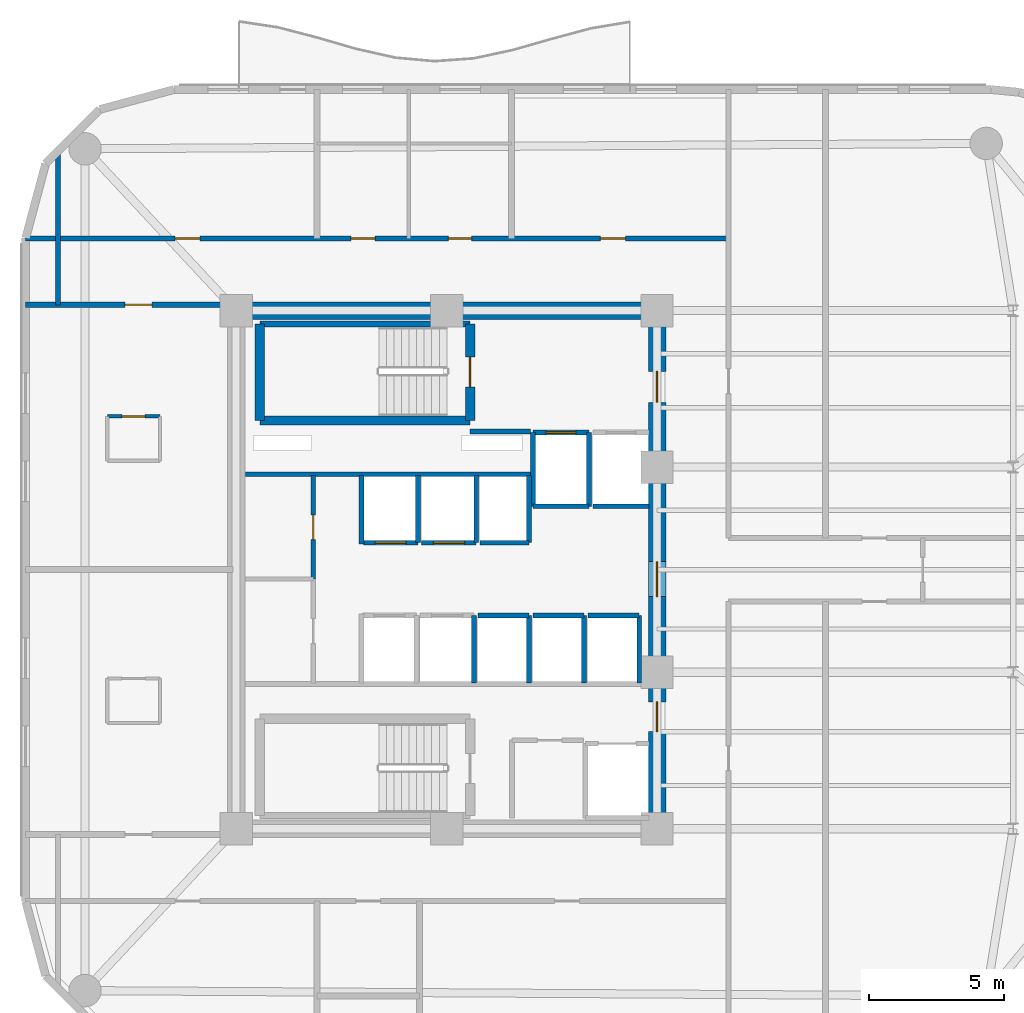
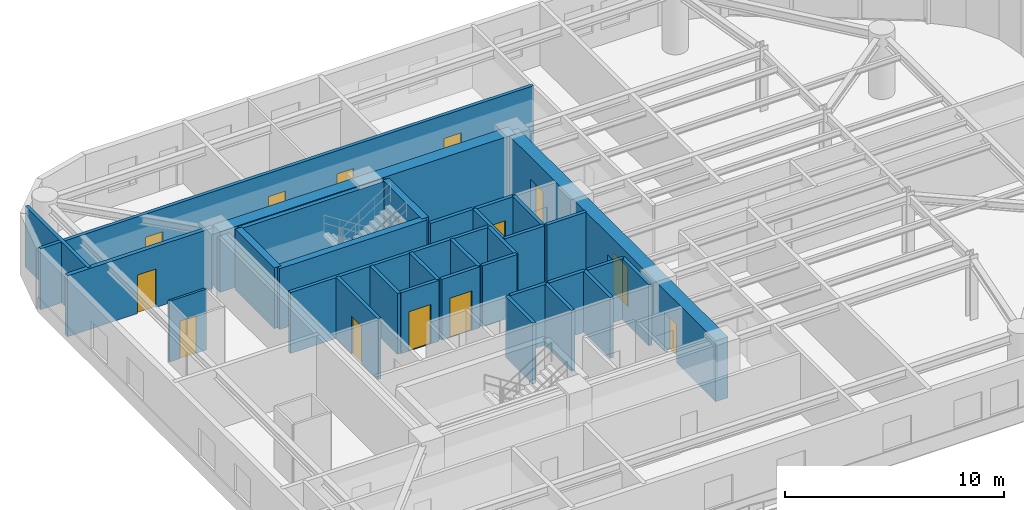
# One storey, part 11 of 15: 32 walls, 14 doors, 14 openings.
"""IFC4 building model written with IfcOpenShell, lengths in metres."""

from ifc_helpers import new_model, si_unit, direction, frame, frame_2d, origin, place, context, subcontext, project, spatial, rectangle, extrude, material, layer, layer_set, type_object, element, fill, save


model = new_model("IFC4")

# Units and contexts
model_context = context("Model", 3, precision=1e-05, world=origin(), true_north=direction((0.0, 1.0)))
body_context = subcontext(model_context, "Body", "Model", "MODEL_VIEW")
ifc_project = project(units=[si_unit("LENGTHUNIT", "METRE"), si_unit("AREAUNIT", "SQUARE_METRE"), si_unit("VOLUMEUNIT", "CUBIC_METRE"), si_unit("PLANEANGLEUNIT", "RADIAN"), si_unit("MASSUNIT", "GRAM", prefix="KILO")], contexts=[model_context])

# Site, building, storey
site_placement = place(None, origin())
site = spatial("IfcSite", under=ifc_project, at=site_placement, CompositionType="ELEMENT")
building_placement = place(site_placement, origin())
building = spatial("IfcBuilding", under=site, at=building_placement, Name="An Khanh Terracotta Commons", CompositionType="ELEMENT")
storey_placement = place(building_placement, frame((0.0, 0.0, 179.800048828125)))
storey = spatial("IfcBuildingStorey", under=building, at=storey_placement, Name="L47", CompositionType="ELEMENT", Elevation=179.800048828125)

# Wall
ifc_material_1 = material(Name="Concrete C60/75", Category="concrete")
ifc_layer_1 = layer(ifc_material_1, 0.64990234375, Name="Concrete C60/75")
ifc_layer_set_1 = layer_set([ifc_layer_1], Name="Concrete C60/75")
wall_type_1 = type_object("IfcWallType", Name="WALL-CORE-650", PredefinedType="SHEAR", material=ifc_layer_set_1)
wall_1_placement = place(storey_placement, frame((21.60009765625, 33.60009765625, 0.0), z_axis=(0.0, 0.0, 1.0), x_axis=(1.0, 0.0, 0.0)))
element("IfcWall", 1, at=wall_1_placement, inside=storey, type_object=wall_type_1, Name="L47 Core Wall CWALL-L47-N", PredefinedType="SHEAR", context=body_context, shape_type="SweptSolid", body=[
    extrude(rectangle(XDim=15.599853515625, YDim=0.64990234375, at=frame_2d((7.7998046875, 0.0))), origin(), (0.0, 0.0, 1.0), 3.39990234375),
])

# Wall, openings, doors
wall_2_placement = place(storey_placement, frame((37.199951171875, 14.39990234375, 0.0), z_axis=(0.0, 0.0, 1.0), x_axis=(0.0, 1.0, 0.0)))
wall_2 = element("IfcWall", 2, at=wall_2_placement, inside=storey, type_object=wall_type_1, Name="L47 Core Wall CWALL-L47-E", PredefinedType="SHEAR", context=body_context, shape_type="SweptSolid", body=[
    extrude(rectangle(XDim=19.2001953125, YDim=0.64990234375, at=frame_2d((9.60009765625, 0.0))), origin(), (0.0, 0.0, 1.0), 3.39990234375),
])
opening_1_placement = place(wall_2_placement, frame((15.800048828125, 0.0, 0.0)))
opening_1 = element("IfcOpeningElement", 3, at=opening_1_placement, cuts=wall_2, Name="Opening D-FFL", PredefinedType="OPENING", context=body_context, shape_type="SweptSolid", body=[
    extrude(rectangle(XDim=1.14990234375, YDim=2.14990234375, at=frame_2d((0.574951171875, 1.074951171875))), frame((0.0, 0.3349609375, 0.0), z_axis=(0.0, -1.0, 0.0), x_axis=(1.0, 0.0, 0.0)), (0.0, 0.0, 1.0), 0.669921875),
])
opening_2_placement = place(wall_2_placement, frame((3.60009765625, 0.0, 0.0)))
opening_2 = element("IfcOpeningElement", 4, at=opening_2_placement, cuts=wall_2, Name="Opening D-ST", PredefinedType="OPENING", context=body_context, shape_type="SweptSolid", body=[
    extrude(rectangle(XDim=1.10009765625, YDim=2.14990234375, at=frame_2d((0.550048828125, 1.074951171875))), frame((0.0, 0.3349609375, 0.0), z_axis=(0.0, -1.0, 0.0), x_axis=(1.0, 0.0, 0.0)), (0.0, 0.0, 1.0), 0.669921875),
])
opening_3_placement = place(wall_2_placement, frame((8.60009765625, 0.0, 0.0)))
opening_3 = element("IfcOpeningElement", 5, at=opening_3_placement, cuts=wall_2, Name="Opening D-COR", PredefinedType="OPENING", context=body_context, shape_type="SweptSolid", body=[
    extrude(rectangle(XDim=1.300048828125, YDim=2.199951171875, at=frame_2d((0.64990234375, 1.10009765625))), frame((0.0, 0.3349609375, 0.0), z_axis=(0.0, -1.0, 0.0), x_axis=(1.0, 0.0, 0.0)), (0.0, 0.0, 1.0), 0.669921875),
])
ifc_material_2 = material(Name="Fire-Rated Glazed Steel Double Door", Category="steel")
door_type_1 = type_object("IfcDoorType", Name="DOOR-CORR-1300", OperationType="NOTDEFINED", PredefinedType="DOOR", material=ifc_material_2)
door_1_placement = place(opening_3_placement, origin())
door_1 = element("IfcDoor", 6, at=door_1_placement, inside=storey, type_object=door_type_1, Name="L47 Passenger Lift Lobby Double Door", OperationType="DOUBLE_DOOR_SINGLE_SWING", OverallHeight=2.199951171875, OverallWidth=1.300048828125, PredefinedType="DOOR", context=body_context, shape_type="SweptSolid", body=[
    extrude(rectangle(XDim=1.300048828125, YDim=2.199951171875, at=frame_2d((0.64990234375, 1.10009765625))), frame((0.0, 0.02490234375, 0.0), z_axis=(0.0, -1.0, 0.0), x_axis=(1.0, 0.0, 0.0)), (0.0, 0.0, 1.0), 0.050048828125),
])
fill(opening_3, door_1)
ifc_material_3 = material(Name="Fire-Rated Steel Leaf and Vision Panel", Category="steel")
door_type_2 = type_object("IfcDoorType", Name="DOOR-FFL-1150", OperationType="NOTDEFINED", PredefinedType="DOOR", material=ifc_material_3)
door_2_placement = place(opening_1_placement, origin())
door_2 = element("IfcDoor", 7, at=door_2_placement, inside=storey, type_object=door_type_2, Name="L47 Firefighting Lift Lobby Fire Door", OperationType="SINGLE_SWING_RIGHT", OverallHeight=2.14990234375, OverallWidth=1.14990234375, PredefinedType="DOOR", context=body_context, shape_type="SweptSolid", body=[
    extrude(rectangle(XDim=1.14990234375, YDim=2.14990234375, at=frame_2d((0.574951171875, 1.074951171875))), frame((0.0, 0.02490234375, 0.0), z_axis=(0.0, -1.0, 0.0), x_axis=(1.0, 0.0, 0.0)), (0.0, 0.0, 1.0), 0.050048828125),
])
fill(opening_1, door_2)
ifc_material_4 = material(Name="Fire-Rated Steel Leaf and Frame", Category="steel")
door_type_3 = type_object("IfcDoorType", Name="DOOR-STAIR-1100", OperationType="NOTDEFINED", PredefinedType="DOOR", material=ifc_material_4)
door_3_placement = place(opening_2_placement, origin())
door_3 = element("IfcDoor", 8, at=door_3_placement, inside=storey, type_object=door_type_3, Name="L47 South Stair Lobby Fire Door", OperationType="SINGLE_SWING_LEFT", OverallHeight=2.14990234375, OverallWidth=1.10009765625, PredefinedType="DOOR", context=body_context, shape_type="SweptSolid", body=[
    extrude(rectangle(XDim=1.10009765625, YDim=2.14990234375, at=frame_2d((0.550048828125, 1.074951171875))), frame((0.0, 0.02490234375, 0.0), z_axis=(0.0, -1.0, 0.0), x_axis=(1.0, 0.0, 0.0)), (0.0, 0.0, 1.0), 0.050048828125),
])
fill(opening_2, door_3)

# Walls
ifc_material_5 = material(Name="Fire-Rated Gypsum Board on Steel Stud", Category="steel")
ifc_layer_2 = layer(ifc_material_5, 0.179931640625, Name="Fire-Rated Gypsum Board on Steel Stud")
ifc_layer_set_2 = layer_set([ifc_layer_2], Name="Fire-Rated Gypsum Board on Steel Stud")
wall_type_2 = type_object("IfcWallType", Name="WALL-CORR-180", PredefinedType="PARTITIONING", material=ifc_layer_set_2)
wall_3_placement = place(storey_placement, frame((30.27001953125, 29.1201171875, 0.0), z_axis=(0.0, 0.0, 1.0), x_axis=(1.0, 0.0, 0.0)))
element("IfcWall", 9, at=wall_3_placement, inside=storey, type_object=wall_type_2, Name="L47 Core Wall FFLW-L47-S", PredefinedType="PARTITIONING", context=body_context, shape_type="SweptSolid", body=[
    extrude(rectangle(XDim=2.239990234375, YDim=0.179931640625, at=frame_2d((1.1201171875, 0.0))), origin(), (0.0, 0.0, 1.0), 3.39990234375),
])
wall_4_placement = place(storey_placement, frame((21.949951171875, 27.5400390625, 0.0), z_axis=(0.0, 0.0, 1.0), x_axis=(1.0, 0.0, 0.0)))
element("IfcWall", 10, at=wall_4_placement, inside=storey, type_object=wall_type_2, Name="L47 Core Wall RSRW-L47-S", PredefinedType="PARTITIONING", context=body_context, shape_type="SweptSolid", body=[
    extrude(rectangle(XDim=10.56005859375, YDim=0.179931640625, at=frame_2d((5.280029296875, 0.0))), origin(), (0.0, 0.0, 1.0), 3.39990234375),
])

# Wall, opening, door
wall_5_placement = place(storey_placement, frame((32.60009765625, 29.080078125, 0.0), z_axis=(0.0, 0.0, 1.0), x_axis=(1.0, 0.0, 0.0)))
wall_5 = element("IfcWall", 11, at=wall_5_placement, inside=storey, type_object=wall_type_2, Name="L47 Core Wall LSH-L47-FFL-01-N", PredefinedType="PARTITIONING", context=body_context, shape_type="SweptSolid", body=[
    extrude(rectangle(XDim=2.079833984375, YDim=0.179931640625, at=frame_2d((1.0400390625, 0.0))), origin(), (0.0, 0.0, 1.0), 3.39990234375),
])
opening_4_placement = place(wall_5_placement, frame((0.489990234375, 0.0, 0.0)))
opening_4 = element("IfcOpeningElement", 12, at=opening_4_placement, cuts=wall_5, Name="Opening LD-FFL-01-L47", PredefinedType="OPENING", context=body_context, shape_type="SweptSolid", body=[
    extrude(rectangle(XDim=1.10009765625, YDim=2.199951171875, at=frame_2d((0.550048828125, 1.10009765625))), frame((0.0, 0.099853515625, 0.0), z_axis=(0.0, -1.0, 0.0), x_axis=(1.0, 0.0, 0.0)), (0.0, 0.0, 1.0), 0.199951171875),
])
ifc_material_6 = material(Name="Brushed Stainless Steel Fire Landing Door", Category="steel")
door_type_4 = type_object("IfcDoorType", Name="DOOR-LD-FFL-1100", OperationType="NOTDEFINED", PredefinedType="DOOR", material=ifc_material_6)
door_4_placement = place(opening_4_placement, origin())
door_4 = element("IfcDoor", 13, at=door_4_placement, inside=storey, type_object=door_type_4, Name="L47 Lift FFL-01 Sliding Landing Door", OperationType="DOUBLE_DOOR_SLIDING", OverallHeight=2.199951171875, OverallWidth=1.10009765625, PredefinedType="DOOR", context=body_context, shape_type="SweptSolid", body=[
    extrude(rectangle(XDim=1.10009765625, YDim=2.199951171875, at=frame_2d((0.550048828125, 1.10009765625))), frame((0.0, 0.02490234375, 0.0), z_axis=(0.0, -1.0, 0.0), x_axis=(1.0, 0.0, 0.0)), (0.0, 0.0, 1.0), 0.050048828125),
])
fill(opening_4, door_4)

# Walls
wall_6_placement = place(storey_placement, frame((34.679931640625, 26.35009765625, 0.0), z_axis=(0.0, 0.0, 1.0), x_axis=(-1.0, 0.0, 0.0)))
element("IfcWall", 14, at=wall_6_placement, inside=storey, type_object=wall_type_2, Name="L47 Core Wall LSH-L47-FFL-01-S", PredefinedType="PARTITIONING", context=body_context, shape_type="SweptSolid", body=[
    extrude(rectangle(XDim=2.079833984375, YDim=0.179931640625, at=frame_2d((1.0400390625, 0.0))), origin(), (0.0, 0.0, 1.0), 3.39990234375),
])
for number, where, z_axis, x_axis, name in (
    (15, (34.679931640625, 26.35009765625, 0.0), (0.0, 0.0, 1.0), (0.0, 1.0, 0.0), "L47 Core Wall LSH-L47-FFL-01-E"),
    (16, (32.60009765625, 29.080078125, 0.0), (0.0, 0.0, 1.0), (0.0, -1.0, 0.0), "L47 Core Wall LSH-L47-FFL-01-W"),
):
    element("IfcWall", number, at=place(storey_placement, frame(where, z_axis=z_axis, x_axis=x_axis)), inside=storey, type_object=wall_type_2, Name=name, PredefinedType="PARTITIONING", context=body_context, shape_type="SweptSolid", body=[
        extrude(rectangle(XDim=2.72998046875, YDim=0.179931640625, at=frame_2d((1.364990234375, 0.0))), origin(), (0.0, 0.0, 1.0), 3.39990234375),
    ])
wall_7_placement = place(storey_placement, frame((36.89990234375, 26.35009765625, 0.0), z_axis=(0.0, 0.0, 1.0), x_axis=(-1.0, 0.0, 0.0)))
element("IfcWall", 17, at=wall_7_placement, inside=storey, type_object=wall_type_2, Name="L47 Core Wall LSH-L47-FFL-02-S", PredefinedType="PARTITIONING", context=body_context, shape_type="SweptSolid", body=[
    extrude(rectangle(XDim=2.079833984375, YDim=0.179931640625, at=frame_2d((1.0400390625, 0.0))), origin(), (0.0, 0.0, 1.0), 3.39990234375),
])

# Wall, opening, door
wall_8_placement = place(storey_placement, frame((28.340087890625, 25.0, 0.0), z_axis=(0.0, 0.0, 1.0), x_axis=(-1.0, 0.0, 0.0)))
wall_8 = element("IfcWall", 18, at=wall_8_placement, inside=storey, type_object=wall_type_2, Name="L47 Core Wall LSH-L47-PL-M1-S", PredefinedType="PARTITIONING", context=body_context, shape_type="SweptSolid", body=[
    extrude(rectangle(XDim=2.02001953125, YDim=0.179931640625, at=frame_2d((1.010009765625, 0.0))), origin(), (0.0, 0.0, 1.0), 3.39990234375),
])
opening_5_placement = place(wall_8_placement, frame((0.43505859375, 0.0, 0.0)))
opening_5 = element("IfcOpeningElement", 19, at=opening_5_placement, cuts=wall_8, Name="Opening LD-PL-M1-L47", PredefinedType="OPENING", context=body_context, shape_type="SweptSolid", body=[
    extrude(rectangle(XDim=1.14990234375, YDim=2.199951171875, at=frame_2d((0.574951171875, 1.10009765625))), frame((0.0, 0.099853515625, 0.0), z_axis=(0.0, -1.0, 0.0), x_axis=(1.0, 0.0, 0.0)), (0.0, 0.0, 1.0), 0.199951171875),
])
ifc_material_7 = material(Name="Brushed Stainless Steel Passenger Landing Door", Category="steel")
door_type_5 = type_object("IfcDoorType", Name="DOOR-LD-PAX-1150", OperationType="NOTDEFINED", PredefinedType="DOOR", material=ifc_material_7)
door_5_placement = place(opening_5_placement, origin())
door_5 = element("IfcDoor", 20, at=door_5_placement, inside=storey, type_object=door_type_5, Name="L47 Lift PL-M1 Sliding Landing Door", OperationType="DOUBLE_DOOR_SLIDING", OverallHeight=2.199951171875, OverallWidth=1.14990234375, PredefinedType="DOOR", context=body_context, shape_type="SweptSolid", body=[
    extrude(rectangle(XDim=1.14990234375, YDim=2.199951171875, at=frame_2d((0.574951171875, 1.10009765625))), frame((0.0, 0.02490234375, 0.0), z_axis=(0.0, -1.0, 0.0), x_axis=(1.0, 0.0, 0.0)), (0.0, 0.0, 1.0), 0.050048828125),
])
fill(opening_5, door_5)

# Wall
wall_9_placement = place(storey_placement, frame((28.340087890625, 25.0, 0.0), z_axis=(0.0, 0.0, 1.0), x_axis=(0.0, 1.0, 0.0)))
element("IfcWall", 21, at=wall_9_placement, inside=storey, type_object=wall_type_2, Name="L47 Core Wall LSH-L47-PL-M1-E", PredefinedType="PARTITIONING", context=body_context, shape_type="SweptSolid", body=[
    extrude(rectangle(XDim=2.5, YDim=0.179931640625, at=frame_2d((1.25, 0.0))), origin(), (0.0, 0.0, 1.0), 3.39990234375),
])

# Wall, opening, door
wall_10_placement = place(storey_placement, frame((30.5, 25.0, 0.0), z_axis=(0.0, 0.0, 1.0), x_axis=(-1.0, 0.0, 0.0)))
wall_10 = element("IfcWall", 22, at=wall_10_placement, inside=storey, type_object=wall_type_2, Name="L47 Core Wall LSH-L47-PL-M2-S", PredefinedType="PARTITIONING", context=body_context, shape_type="SweptSolid", body=[
    extrude(rectangle(XDim=2.02001953125, YDim=0.179931640625, at=frame_2d((1.010009765625, 0.0))), origin(), (0.0, 0.0, 1.0), 3.39990234375),
])
opening_6_placement = place(wall_10_placement, frame((0.43505859375, 0.0, 0.0)))
opening_6 = element("IfcOpeningElement", 23, at=opening_6_placement, cuts=wall_10, Name="Opening LD-PL-M2-L47", PredefinedType="OPENING", context=body_context, shape_type="SweptSolid", body=[
    extrude(rectangle(XDim=1.14990234375, YDim=2.199951171875, at=frame_2d((0.574951171875, 1.10009765625))), frame((0.0, 0.099853515625, 0.0), z_axis=(0.0, -1.0, 0.0), x_axis=(1.0, 0.0, 0.0)), (0.0, 0.0, 1.0), 0.199951171875),
])
door_6_placement = place(opening_6_placement, origin())
door_6 = element("IfcDoor", 24, at=door_6_placement, inside=storey, type_object=door_type_5, Name="L47 Lift PL-M2 Sliding Landing Door", OperationType="DOUBLE_DOOR_SLIDING", OverallHeight=2.199951171875, OverallWidth=1.14990234375, PredefinedType="DOOR", context=body_context, shape_type="SweptSolid", body=[
    extrude(rectangle(XDim=1.14990234375, YDim=2.199951171875, at=frame_2d((0.574951171875, 1.10009765625))), frame((0.0, 0.02490234375, 0.0), z_axis=(0.0, -1.0, 0.0), x_axis=(1.0, 0.0, 0.0)), (0.0, 0.0, 1.0), 0.050048828125),
])
fill(opening_6, door_6)

# Walls
for number, where, z_axis, x_axis, name in (
    (25, (30.5, 25.0, 0.0), (0.0, 0.0, 1.0), (0.0, 1.0, 0.0), "L47 Core Wall LSH-L47-PL-M2-E"),
    (26, (30.419921875, 19.800048828125, 0.0), (0.0, 0.0, 1.0), (0.0, 1.0, 0.0), "L47 Core Wall LSH-L47-PL-M4-E"),
):
    element("IfcWall", number, at=place(storey_placement, frame(where, z_axis=z_axis, x_axis=x_axis)), inside=storey, type_object=wall_type_2, Name=name, PredefinedType="PARTITIONING", context=body_context, shape_type="SweptSolid", body=[
        extrude(rectangle(XDim=2.5, YDim=0.179931640625, at=frame_2d((1.25, 0.0))), origin(), (0.0, 0.0, 1.0), 3.39990234375),
    ])
wall_11_placement = place(storey_placement, frame((32.4599609375, 25.0, 0.0), z_axis=(0.0, 0.0, 1.0), x_axis=(-1.0, 0.0, 0.0)))
element("IfcWall", 27, at=wall_11_placement, inside=storey, type_object=wall_type_2, Name="L47 Core Wall LSH-L47-PL-H1-S", PredefinedType="PARTITIONING", context=body_context, shape_type="SweptSolid", body=[
    extrude(rectangle(XDim=1.820068359375, YDim=0.179931640625, at=frame_2d((0.91015625, 0.0))), origin(), (0.0, 0.0, 1.0), 3.39990234375),
])
wall_12_placement = place(storey_placement, frame((32.4599609375, 25.0, 0.0), z_axis=(0.0, 0.0, 1.0), x_axis=(0.0, 1.0, 0.0)))
element("IfcWall", 28, at=wall_12_placement, inside=storey, type_object=wall_type_2, Name="L47 Core Wall LSH-L47-PL-H1-E", PredefinedType="PARTITIONING", context=body_context, shape_type="SweptSolid", body=[
    extrude(rectangle(XDim=2.5, YDim=0.179931640625, at=frame_2d((1.25, 0.0))), origin(), (0.0, 0.0, 1.0), 3.39990234375),
])
wall_13_placement = place(storey_placement, frame((30.56005859375, 22.300048828125, 0.0), z_axis=(0.0, 0.0, 1.0), x_axis=(1.0, 0.0, 0.0)))
element("IfcWall", 29, at=wall_13_placement, inside=storey, type_object=wall_type_2, Name="L47 Core Wall LSH-L47-PL-H2-N", PredefinedType="PARTITIONING", context=body_context, shape_type="SweptSolid", body=[
    extrude(rectangle(XDim=1.89990234375, YDim=0.179931640625, at=frame_2d((0.949951171875, 0.0))), origin(), (0.0, 0.0, 1.0), 3.39990234375),
])
wall_14_placement = place(storey_placement, frame((32.4599609375, 19.800048828125, 0.0), z_axis=(0.0, 0.0, 1.0), x_axis=(0.0, 1.0, 0.0)))
element("IfcWall", 30, at=wall_14_placement, inside=storey, type_object=wall_type_2, Name="L47 Core Wall LSH-L47-PL-H2-E", PredefinedType="PARTITIONING", context=body_context, shape_type="SweptSolid", body=[
    extrude(rectangle(XDim=2.5, YDim=0.179931640625, at=frame_2d((1.25, 0.0))), origin(), (0.0, 0.0, 1.0), 3.39990234375),
])
wall_15_placement = place(storey_placement, frame((32.60009765625, 22.300048828125, 0.0), z_axis=(0.0, 0.0, 1.0), x_axis=(1.0, 0.0, 0.0)))
element("IfcWall", 31, at=wall_15_placement, inside=storey, type_object=wall_type_2, Name="L47 Core Wall LSH-L47-PL-H3-N", PredefinedType="PARTITIONING", context=body_context, shape_type="SweptSolid", body=[
    extrude(rectangle(XDim=1.89990234375, YDim=0.179931640625, at=frame_2d((0.949951171875, 0.0))), origin(), (0.0, 0.0, 1.0), 3.39990234375),
])
wall_16_placement = place(storey_placement, frame((34.5, 19.800048828125, 0.0), z_axis=(0.0, 0.0, 1.0), x_axis=(0.0, 1.0, 0.0)))
element("IfcWall", 32, at=wall_16_placement, inside=storey, type_object=wall_type_2, Name="L47 Core Wall LSH-L47-PL-H3-E", PredefinedType="PARTITIONING", context=body_context, shape_type="SweptSolid", body=[
    extrude(rectangle(XDim=2.5, YDim=0.179931640625, at=frame_2d((1.25, 0.0))), origin(), (0.0, 0.0, 1.0), 3.39990234375),
])
wall_17_placement = place(storey_placement, frame((34.639892578125, 22.300048828125, 0.0), z_axis=(0.0, 0.0, 1.0), x_axis=(1.0, 0.0, 0.0)))
element("IfcWall", 33, at=wall_17_placement, inside=storey, type_object=wall_type_2, Name="L47 Core Wall LSH-L47-PL-H4-N", PredefinedType="PARTITIONING", context=body_context, shape_type="SweptSolid", body=[
    extrude(rectangle(XDim=1.900146484375, YDim=0.179931640625, at=frame_2d((0.9501953125, 0.0))), origin(), (0.0, 0.0, 1.0), 3.39990234375),
])
wall_18_placement = place(storey_placement, frame((36.5400390625, 19.800048828125, 0.0), z_axis=(0.0, 0.0, 1.0), x_axis=(0.0, 1.0, 0.0)))
element("IfcWall", 34, at=wall_18_placement, inside=storey, type_object=wall_type_2, Name="L47 Core Wall LSH-L47-PL-H4-E", PredefinedType="PARTITIONING", context=body_context, shape_type="SweptSolid", body=[
    extrude(rectangle(XDim=2.5, YDim=0.179931640625, at=frame_2d((1.25, 0.0))), origin(), (0.0, 0.0, 1.0), 3.39990234375),
])

# Wall, opening, door
wall_19_placement = place(storey_placement, frame((24.4599609375, 23.64990234375, 0.0), z_axis=(0.0, 0.0, 1.0), x_axis=(0.0, 1.0, 0.0)))
wall_19 = element("IfcWall", 35, at=wall_19_placement, inside=storey, type_object=wall_type_2, Name="L47 Core Wall RECW-L47-E1", PredefinedType="PARTITIONING", context=body_context, shape_type="SweptSolid", body=[
    extrude(rectangle(XDim=3.85009765625, YDim=0.179931640625, at=frame_2d((1.925048828125, 0.0))), origin(), (0.0, 0.0, 1.0), 3.39990234375),
])
opening_7_placement = place(wall_19_placement, frame((1.465087890625, 0.0, 0.0)))
opening_7 = element("IfcOpeningElement", 36, at=opening_7_placement, cuts=wall_19, Name="Opening D-RM", PredefinedType="OPENING", context=body_context, shape_type="SweptSolid", body=[
    extrude(rectangle(XDim=0.919921875, YDim=2.10009765625, at=frame_2d((0.4599609375, 1.050048828125))), frame((0.0, 0.099853515625, 0.0), z_axis=(0.0, -1.0, 0.0), x_axis=(1.0, 0.0, 0.0)), (0.0, 0.0, 1.0), 0.199951171875),
])
ifc_material_8 = material(Name="Engineered Hardwood Timber Leaf", Category="wood")
door_type_6 = type_object("IfcDoorType", Name="DOOR-INT-920", OperationType="NOTDEFINED", PredefinedType="DOOR", material=ifc_material_8)
door_7_placement = place(opening_7_placement, origin())
door_7 = element("IfcDoor", 37, at=door_7_placement, inside=storey, type_object=door_type_6, Name="L47 Communal Laundry Room Door", OperationType="SINGLE_SWING_LEFT", OverallHeight=2.10009765625, OverallWidth=0.919921875, PredefinedType="DOOR", context=body_context, shape_type="SweptSolid", body=[
    extrude(rectangle(XDim=0.919921875, YDim=2.10009765625, at=frame_2d((0.4599609375, 1.050048828125))), frame((0.0, 0.02490234375, 0.0), z_axis=(0.0, -1.0, 0.0), x_axis=(1.0, 0.0, 0.0)), (0.0, 0.0, 1.0), 0.050048828125),
])
fill(opening_7, door_7)

# Wall
wall_20_placement = place(storey_placement, frame((26.25, 24.949951171875, 0.0), z_axis=(0.0, 0.0, 1.0), x_axis=(0.0, 1.0, 0.0)))
element("IfcWall", 38, at=wall_20_placement, inside=storey, type_object=wall_type_2, Name="L47 Core Wall RECW-L47-BE1", PredefinedType="PARTITIONING", context=body_context, shape_type="SweptSolid", body=[
    extrude(rectangle(XDim=2.550048828125, YDim=0.179931640625, at=frame_2d((1.27490234375, 0.0))), origin(), (0.0, 0.0, 1.0), 3.39990234375),
])

# Wall, openings, doors
wall_21_placement = place(storey_placement, frame((13.800048828125, 36.280029296875, 0.0), z_axis=(0.0, 0.0, 1.0), x_axis=(1.0, 0.0, 0.0)))
wall_21 = element("IfcWall", 39, at=wall_21_placement, inside=storey, type_object=wall_type_2, Name="L47 Interior Partition IW-L47-E008", PredefinedType="PARTITIONING", context=body_context, shape_type="SweptSolid", body=[
    extrude(rectangle(XDim=26.050048828125, YDim=0.179931640625, at=frame_2d((13.02490234375, 0.0))), origin(), (0.0, 0.0, 1.0), 3.39990234375),
])
opening_8_placement = place(wall_21_placement, frame((12.050048828125, 0.0, 0.0)))
opening_8 = element("IfcOpeningElement", 40, at=opening_8_placement, cuts=wall_21, Name="Opening D-WC", PredefinedType="OPENING", context=body_context, shape_type="SweptSolid", body=[
    extrude(rectangle(XDim=0.89990234375, YDim=2.10009765625, at=frame_2d((0.449951171875, 1.050048828125))), frame((0.0, 0.099853515625, 0.0), z_axis=(0.0, -1.0, 0.0), x_axis=(1.0, 0.0, 0.0)), (0.0, 0.0, 1.0), 0.199951171875),
])
opening_9_placement = place(wall_21_placement, frame((15.669921875, 0.0, 0.0)))
opening_9 = element("IfcOpeningElement", 41, at=opening_9_placement, cuts=wall_21, Name="Opening D-ENS", PredefinedType="OPENING", context=body_context, shape_type="SweptSolid", body=[
    extrude(rectangle(XDim=0.860107421875, YDim=2.10009765625, at=frame_2d((0.43017578125, 1.050048828125))), frame((0.0, 0.099853515625, 0.0), z_axis=(0.0, -1.0, 0.0), x_axis=(1.0, 0.0, 0.0)), (0.0, 0.0, 1.0), 0.199951171875),
])
opening_10_placement = place(wall_21_placement, frame((5.5400390625, 0.0, 0.0)))
opening_10 = element("IfcOpeningElement", 42, at=opening_10_placement, cuts=wall_21, Name="Opening D-RM", PredefinedType="OPENING", context=body_context, shape_type="SweptSolid", body=[
    extrude(rectangle(XDim=0.919921875, YDim=2.10009765625, at=frame_2d((0.4599609375, 1.050048828125))), frame((0.0, 0.099853515625, 0.0), z_axis=(0.0, -1.0, 0.0), x_axis=(1.0, 0.0, 0.0)), (0.0, 0.0, 1.0), 0.199951171875),
])
opening_11_placement = place(wall_21_placement, frame((21.304931640625, 0.0, 0.0)))
opening_11 = element("IfcOpeningElement", 43, at=opening_11_placement, cuts=wall_21, Name="Opening D-RM", PredefinedType="OPENING", context=body_context, shape_type="SweptSolid", body=[
    extrude(rectangle(XDim=0.919921875, YDim=2.10009765625, at=frame_2d((0.4599609375, 1.050048828125))), frame((0.0, 0.099853515625, 0.0), z_axis=(0.0, -1.0, 0.0), x_axis=(1.0, 0.0, 0.0)), (0.0, 0.0, 1.0), 0.199951171875),
])
ifc_material_9 = material(Name="Moisture-Resistant Hardwood Timber Leaf", Category="wood")
door_type_7 = type_object("IfcDoorType", Name="DOOR-BATH-860", OperationType="NOTDEFINED", PredefinedType="DOOR", material=ifc_material_9)
door_8_placement = place(opening_9_placement, origin())
door_8 = element("IfcDoor", 44, at=door_8_placement, inside=storey, type_object=door_type_7, Name="L47 SHW Resident Shared Shower and Washroom Door", OperationType="SINGLE_SWING_RIGHT", OverallHeight=2.10009765625, OverallWidth=0.860107421875, PredefinedType="DOOR", context=body_context, shape_type="SweptSolid", body=[
    extrude(rectangle(XDim=0.860107421875, YDim=2.10009765625, at=frame_2d((0.43017578125, 1.050048828125))), frame((0.0, 0.02490234375, 0.0), z_axis=(0.0, -1.0, 0.0), x_axis=(1.0, 0.0, 0.0)), (0.0, 0.0, 1.0), 0.050048828125),
])
fill(opening_9, door_8)
door_9_placement = place(opening_10_placement, origin())
door_9 = element("IfcDoor", 45, at=door_9_placement, inside=storey, type_object=door_type_6, Name="L47 NW1 Group Tutorial Meeting Room Door", OperationType="SINGLE_SWING_LEFT", OverallHeight=2.10009765625, OverallWidth=0.919921875, PredefinedType="DOOR", context=body_context, shape_type="SweptSolid", body=[
    extrude(rectangle(XDim=0.919921875, YDim=2.10009765625, at=frame_2d((0.4599609375, 1.050048828125))), frame((0.0, 0.02490234375, 0.0), z_axis=(0.0, -1.0, 0.0), x_axis=(1.0, 0.0, 0.0)), (0.0, 0.0, 1.0), 0.050048828125),
])
fill(opening_10, door_9)
door_10_placement = place(opening_11_placement, origin())
door_10 = element("IfcDoor", 46, at=door_10_placement, inside=storey, type_object=door_type_6, Name="L47 NWE Student Reading Library Door", OperationType="SINGLE_SWING_RIGHT", OverallHeight=2.10009765625, OverallWidth=0.919921875, PredefinedType="DOOR", context=body_context, shape_type="SweptSolid", body=[
    extrude(rectangle(XDim=0.919921875, YDim=2.10009765625, at=frame_2d((0.4599609375, 1.050048828125))), frame((0.0, 0.02490234375, 0.0), z_axis=(0.0, -1.0, 0.0), x_axis=(1.0, 0.0, 0.0)), (0.0, 0.0, 1.0), 0.050048828125),
])
fill(opening_11, door_10)
ifc_material_10 = material(Name="Laminate Moisture-Resistant Timber Leaf", Category="wood")
door_type_8 = type_object("IfcDoorType", Name="DOOR-WC-900", OperationType="NOTDEFINED", PredefinedType="DOOR", material=ifc_material_10)
door_11_placement = place(opening_8_placement, origin())
door_11 = element("IfcDoor", 47, at=door_11_placement, inside=storey, type_object=door_type_8, Name="L47 AWC Accessible WC Door", OperationType="SINGLE_SWING_LEFT", OverallHeight=2.10009765625, OverallWidth=0.89990234375, PredefinedType="DOOR", context=body_context, shape_type="SweptSolid", body=[
    extrude(rectangle(XDim=0.89990234375, YDim=2.10009765625, at=frame_2d((0.449951171875, 1.050048828125))), frame((0.0, 0.02490234375, 0.0), z_axis=(0.0, -1.0, 0.0), x_axis=(1.0, 0.0, 0.0)), (0.0, 0.0, 1.0), 0.050048828125),
])
fill(opening_8, door_11)

# Walls
wall_22_placement = place(storey_placement, frame((15.0, 33.820068359375, 0.0), z_axis=(0.0, 0.0, 1.0), x_axis=(0.0, 1.0, 0.0)))
element("IfcWall", 48, at=wall_22_placement, inside=storey, type_object=wall_type_2, Name="L47 Interior Partition IW-L47-E011", PredefinedType="PARTITIONING", context=body_context, shape_type="SweptSolid", body=[
    extrude(rectangle(XDim=5.69287109375, YDim=0.179931640625, at=frame_2d((2.846435546875, 0.0))), origin(), (0.0, 0.0, 1.0), 3.39990234375),
])
ifc_material_11 = material(Name="Acoustic Double-Stud Gypsum and Mineral Wool")
ifc_layer_3 = layer(ifc_material_11, 0.219970703125, Name="Acoustic Double-Stud Gypsum and Mineral Wool")
ifc_layer_set_3 = layer_set([ifc_layer_3], Name="Acoustic Double-Stud Gypsum and Mineral Wool")
wall_type_3 = type_object("IfcWallType", Name="WALL-PARTY-220", PredefinedType="PARTITIONING", material=ifc_layer_set_3)
wall_23_placement = place(storey_placement, frame((22.47998046875, 33.110107421875, 0.0), z_axis=(0.0, 0.0, 1.0), x_axis=(1.0, 0.0, 0.0)))
element("IfcWall", 49, at=wall_23_placement, inside=storey, type_object=wall_type_3, Name="L47 Core Wall STW-L47-N-N", PredefinedType="PARTITIONING", context=body_context, shape_type="SweptSolid", body=[
    extrude(rectangle(XDim=7.7900390625, YDim=0.219970703125, at=frame_2d((3.89501953125, 0.0))), origin(), (0.0, 0.0, 1.0), 3.39990234375),
])

# Wall, opening, door
wall_24_placement = place(storey_placement, frame((13.800048828125, 33.820068359375, 0.0), z_axis=(0.0, 0.0, 1.0), x_axis=(1.0, 0.0, 0.0)))
wall_24 = element("IfcWall", 50, at=wall_24_placement, inside=storey, type_object=wall_type_3, Name="L47 Interior Partition IW-L47-E007", PredefinedType="PARTITIONING", context=body_context, shape_type="SweptSolid", body=[
    extrude(rectangle(XDim=7.679931640625, YDim=0.219970703125, at=frame_2d((3.83984375, 0.0))), origin(), (0.0, 0.0, 1.0), 3.39990234375),
])
opening_12_placement = place(wall_24_placement, frame((3.679931640625, 0.0, 0.0)))
opening_12 = element("IfcOpeningElement", 51, at=opening_12_placement, cuts=wall_24, Name="Opening D-UN", PredefinedType="OPENING", context=body_context, shape_type="SweptSolid", body=[
    extrude(rectangle(XDim=1.0, YDim=2.14990234375, at=frame_2d((0.5, 1.074951171875))), frame((0.0, 0.119873046875, 0.0), z_axis=(0.0, -1.0, 0.0), x_axis=(1.0, 0.0, 0.0)), (0.0, 0.0, 1.0), 0.239990234375),
])
ifc_material_12 = material(Name="Solid-Core Hardwood Acoustic Fire Door", Category="wood")
door_type_9 = type_object("IfcDoorType", Name="DOOR-UNIT-1000", OperationType="NOTDEFINED", PredefinedType="DOOR", material=ifc_material_12)
door_12_placement = place(opening_12_placement, origin())
door_12 = element("IfcDoor", 52, at=door_12_placement, inside=storey, type_object=door_type_9, Name="L47 WW2 Kitchenette and Studio Apartment Door", OperationType="SINGLE_SWING_RIGHT", OverallHeight=2.14990234375, OverallWidth=1.0, PredefinedType="DOOR", context=body_context, shape_type="SweptSolid", body=[
    extrude(rectangle(XDim=1.0, YDim=2.14990234375, at=frame_2d((0.5, 1.074951171875))), frame((0.0, 0.02490234375, 0.0), z_axis=(0.0, -1.0, 0.0), x_axis=(1.0, 0.0, 0.0)), (0.0, 0.0, 1.0), 0.050048828125),
])
fill(opening_12, door_12)

# Walls
ifc_material_13 = material(Name="Concrete C50/60", Category="concrete")
ifc_layer_4 = layer(ifc_material_13, 0.35009765625, Name="Concrete C50/60")
ifc_layer_set_4 = layer_set([ifc_layer_4], Name="Concrete C50/60")
wall_type_4 = type_object("IfcWallType", Name="WALL-SHAFT-350", PredefinedType="SOLIDWALL", material=ifc_layer_set_4)
wall_25_placement = place(storey_placement, frame((22.47998046875, 29.530029296875, 0.0), z_axis=(0.0, 0.0, 1.0), x_axis=(1.0, 0.0, 0.0)))
element("IfcWall", 53, at=wall_25_placement, inside=storey, type_object=wall_type_4, Name="L47 Core Wall STW-L47-N-S", PredefinedType="SOLIDWALL", context=body_context, shape_type="SweptSolid", body=[
    extrude(rectangle(XDim=7.7900390625, YDim=0.35009765625, at=frame_2d((3.89501953125, 0.0))), origin(), (0.0, 0.0, 1.0), 3.39990234375),
])
wall_26_placement = place(storey_placement, frame((22.47998046875, 29.530029296875, 0.0), z_axis=(0.0, 0.0, 1.0), x_axis=(0.0, 1.0, 0.0)))
element("IfcWall", 54, at=wall_26_placement, inside=storey, type_object=wall_type_4, Name="L47 Core Wall STW-L47-N-W", PredefinedType="SOLIDWALL", context=body_context, shape_type="SweptSolid", body=[
    extrude(rectangle(XDim=3.580078125, YDim=0.35009765625, at=frame_2d((1.7900390625, 0.0))), origin(), (0.0, 0.0, 1.0), 3.39990234375),
])

# Wall, opening, door
wall_27_placement = place(storey_placement, frame((30.27001953125, 29.530029296875, 0.0), z_axis=(0.0, 0.0, 1.0), x_axis=(0.0, 1.0, 0.0)))
wall_27 = element("IfcWall", 55, at=wall_27_placement, inside=storey, type_object=wall_type_4, Name="L47 Core Wall STW-L47-N-E", PredefinedType="SOLIDWALL", context=body_context, shape_type="SweptSolid", body=[
    extrude(rectangle(XDim=3.580078125, YDim=0.35009765625, at=frame_2d((1.7900390625, 0.0))), origin(), (0.0, 0.0, 1.0), 3.39990234375),
])
opening_13_placement = place(wall_27_placement, frame((1.25, 0.0, 0.0)))
opening_13 = element("IfcOpeningElement", 56, at=opening_13_placement, cuts=wall_27, Name="Opening D-ST", PredefinedType="OPENING", context=body_context, shape_type="SweptSolid", body=[
    extrude(rectangle(XDim=1.10009765625, YDim=2.14990234375, at=frame_2d((0.550048828125, 1.074951171875))), frame((0.0, 0.18505859375, 0.0), z_axis=(0.0, -1.0, 0.0), x_axis=(1.0, 0.0, 0.0)), (0.0, 0.0, 1.0), 0.3701171875),
])
door_13_placement = place(opening_13_placement, origin())
door_13 = element("IfcDoor", 57, at=door_13_placement, inside=storey, type_object=door_type_3, Name="L47 Stair ST-01 Fire Door", OperationType="SINGLE_SWING_RIGHT", OverallHeight=2.14990234375, OverallWidth=1.10009765625, PredefinedType="DOOR", context=body_context, shape_type="SweptSolid", body=[
    extrude(rectangle(XDim=1.10009765625, YDim=2.14990234375, at=frame_2d((0.550048828125, 1.074951171875))), frame((0.0, 0.02490234375, 0.0), z_axis=(0.0, -1.0, 0.0), x_axis=(1.0, 0.0, 0.0)), (0.0, 0.0, 1.0), 0.050048828125),
])
fill(opening_13, door_13)

ifc_material_14 = material(Name="Moisture-Resistant Cement Board Partition")
ifc_layer_5 = layer(ifc_material_14, 0.1201171875, Name="Moisture-Resistant Cement Board Partition")
ifc_layer_set_5 = layer_set([ifc_layer_5], Name="Moisture-Resistant Cement Board Partition")
wall_type_5 = type_object("IfcWallType", Name="WALL-WET-120", PredefinedType="PARTITIONING", material=ifc_layer_set_5)
wall_28_placement = place(storey_placement, frame((16.824951171875, 29.68505859375, 0.0), z_axis=(0.0, 0.0, 1.0), x_axis=(1.0, 0.0, 0.0)))
wall_28 = element("IfcWall", 58, at=wall_28_placement, inside=storey, type_object=wall_type_5, Name="L47 Interior Partition IW-L47-WW2-BN", PredefinedType="PARTITIONING", context=body_context, shape_type="SweptSolid", body=[
    extrude(rectangle(XDim=1.949951171875, YDim=0.1201171875, at=frame_2d((0.97509765625, 0.0))), origin(), (0.0, 0.0, 1.0), 3.39990234375),
])
opening_14_placement = place(wall_28_placement, frame((0.544921875, 0.0, 0.0)))
opening_14 = element("IfcOpeningElement", 59, at=opening_14_placement, cuts=wall_28, Name="Opening D-ENS", PredefinedType="OPENING", context=body_context, shape_type="SweptSolid", body=[
    extrude(rectangle(XDim=0.860107421875, YDim=2.10009765625, at=frame_2d((0.43017578125, 1.050048828125))), frame((0.0, 0.070068359375, 0.0), z_axis=(0.0, -1.0, 0.0), x_axis=(1.0, 0.0, 0.0)), (0.0, 0.0, 1.0), 0.14013671875),
])
door_14_placement = place(opening_14_placement, origin())
door_14 = element("IfcDoor", 60, at=door_14_placement, inside=storey, type_object=door_type_7, Name="L47 Studio WW2 En-suite Door", OperationType="SINGLE_SWING_RIGHT", OverallHeight=2.10009765625, OverallWidth=0.860107421875, PredefinedType="DOOR", context=body_context, shape_type="SweptSolid", body=[
    extrude(rectangle(XDim=0.860107421875, YDim=2.10009765625, at=frame_2d((0.43017578125, 1.050048828125))), frame((0.0, 0.02490234375, 0.0), z_axis=(0.0, -1.0, 0.0), x_axis=(1.0, 0.0, 0.0)), (0.0, 0.0, 1.0), 0.050048828125),
])
fill(opening_14, door_14)

save(model, "model.ifc")
